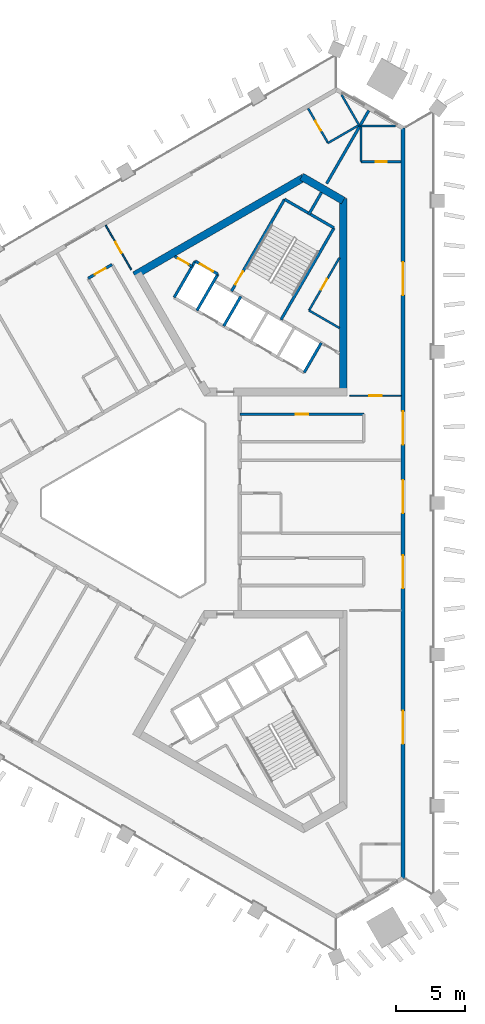
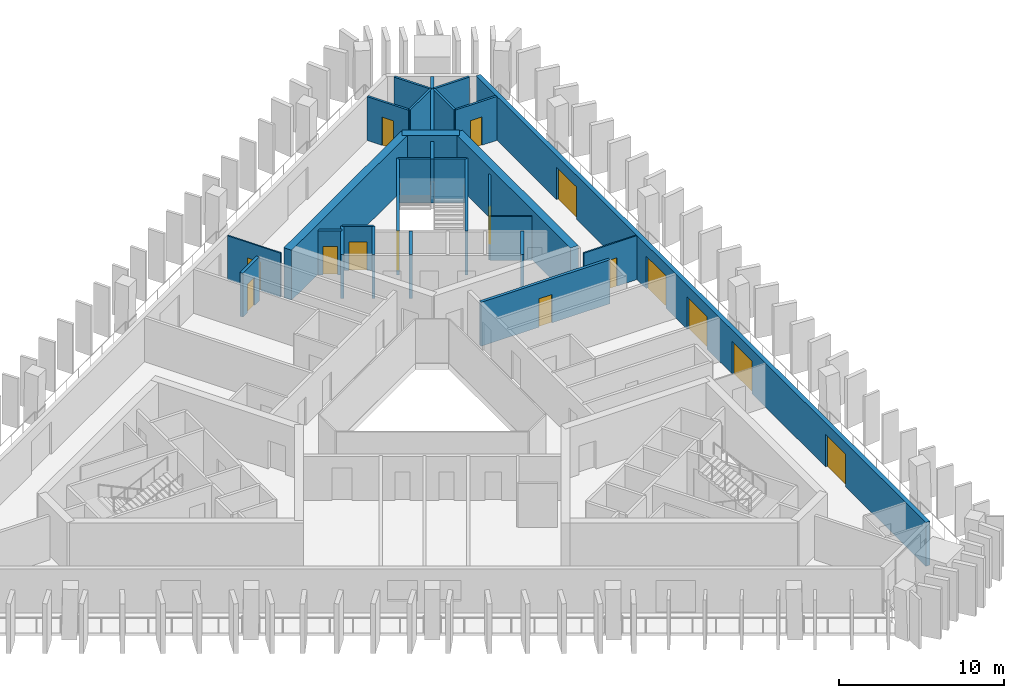
# One storey, part 5 of 10: 27 walls, 15 doors, 15 openings.
"""IFC4 building model written with IfcOpenShell, lengths in metres."""

from ifc_helpers import new_model, si_unit, direction, frame, frame_2d, origin, place, context, subcontext, project, spatial, rectangle, extrude, material, layer, layer_set, type_object, element, fill, save


model = new_model("IFC4")

# Units and contexts
model_context = context("Model", 3, precision=1e-05, world=origin(), true_north=direction((0.0, 1.0)))
body_context = subcontext(model_context, "Body", "Model", "MODEL_VIEW")
ifc_project = project(units=[si_unit("LENGTHUNIT", "METRE"), si_unit("AREAUNIT", "SQUARE_METRE"), si_unit("VOLUMEUNIT", "CUBIC_METRE"), si_unit("PLANEANGLEUNIT", "RADIAN"), si_unit("MASSUNIT", "GRAM", prefix="KILO")], contexts=[model_context])

# Site, building, storey
site_placement = place(None, origin())
site = spatial("IfcSite", under=ifc_project, at=site_placement, CompositionType="ELEMENT")
building_placement = place(site_placement, origin())
building = spatial("IfcBuilding", under=site, at=building_placement, Name="Jabali Bay Hotel Tower and Convention Centre", CompositionType="ELEMENT")
storey_placement = place(building_placement, frame((0.0, 0.0, 156.300048828125)))
storey = spatial("IfcBuildingStorey", under=building, at=storey_placement, Name="L37", CompositionType="ELEMENT", Elevation=156.300048828125)

# Wall
ifc_material_1 = material(Name="Concrete C40", Category="concrete")
ifc_layer_1 = layer(ifc_material_1, 0.199951171875)
ifc_layer_set_1 = layer_set([ifc_layer_1], Name="Concrete C40")
wall_type_1 = type_object("IfcWallType", Name="Core partition wall 200", PredefinedType="PARTITIONING", material=ifc_layer_set_1)
wall_1_placement = place(storey_placement, frame((87.090087890625, 100.9404296875, 0.0), z_axis=(0.0, 0.0, 1.0), x_axis=(0.499951854219, 0.86605319898, 0.0)))
element("IfcWall", 1, at=wall_1_placement, inside=storey, type_object=wall_type_1, Name="Core wall 1.5 L37", PredefinedType="PARTITIONING", context=body_context, shape_type="SweptSolid", body=[
    extrude(rectangle(XDim=1.873291015625, YDim=0.199951171875, at=frame_2d((0.9365234375, 0.0))), origin(), (0.0, 0.0, 1.0), 3.25),
])

# Wall, opening, door
wall_2_placement = place(storey_placement, frame((78.630126953125, 97.187744140625, 0.0), z_axis=(0.0, 0.0, 1.0), x_axis=(-0.866003949776, 0.500037157592, 0.0)))
wall_2 = element("IfcWall", 2, at=wall_2_placement, inside=storey, type_object=wall_type_1, Name="Core wall 1.12 L37", PredefinedType="PARTITIONING", context=body_context, shape_type="SweptSolid", body=[
    extrude(rectangle(XDim=1.455078125, YDim=0.199951171875, at=frame_2d((0.7275390625, 0.0))), origin(), (0.0, 0.0, 1.0), 3.25),
])
opening_1_placement = place(wall_2_placement, frame((0.277587890625, 0.0, 0.0)))
opening_1 = element("IfcOpeningElement", 3, at=opening_1_placement, cuts=wall_2, Name="Opening D814", PredefinedType="OPENING", context=body_context, shape_type="SweptSolid", body=[
    extrude(rectangle(XDim=0.89990234375, YDim=2.10009765625, at=frame_2d((0.449951171875, 1.050048828125))), frame((0.0, 0.1103515625, 0.0), z_axis=(0.0, -1.0, 0.0), x_axis=(1.0, 0.0, 0.0)), (0.0, 0.0, 1.0), 0.220947265625),
])
ifc_material_2 = material(Name="Fire-rated steel door", Category="steel")
door_type_1 = type_object("IfcDoorType", Name="Vestibule fire door 900 x 2100", OperationType="NOTDEFINED", PredefinedType="NOTDEFINED", material=ifc_material_2)
door_1_placement = place(opening_1_placement, origin())
door_1 = element("IfcDoor", 4, at=door_1_placement, inside=storey, type_object=door_type_1, Name="Vestibule fire door D814", OperationType="SINGLE_SWING_LEFT", OverallHeight=2.10009765625, OverallWidth=0.89990234375, PredefinedType="NOTDEFINED", context=body_context, shape_type="SweptSolid", body=[
    extrude(rectangle(XDim=0.89990234375, YDim=2.10009765625, at=frame_2d((0.449951171875, 1.050048828125))), frame((0.0, 0.02490234375, 0.0), z_axis=(0.0, -1.0, 0.0), x_axis=(1.0, 0.0, 0.0)), (0.0, 0.0, 1.0), 0.050048828125),
])
fill(opening_1, door_1)

ifc_material_3 = material(Name="Fire-rated board partition")
ifc_layer_2 = layer(ifc_material_3, 0.14990234375)
ifc_layer_set_2 = layer_set([ifc_layer_2], Name="Fire-rated board partition")
wall_type_2 = type_object("IfcWallType", Name="Core room partition 150", PredefinedType="PARTITIONING", material=ifc_layer_set_2)
wall_3_placement = place(storey_placement, frame((87.12109375, 93.994384765625, 0.0), z_axis=(0.0, 0.0, 1.0), x_axis=(0.500014254795, 0.866017173618, 0.0)))
wall_3 = element("IfcWall", 5, at=wall_3_placement, inside=storey, type_object=wall_type_2, Name="Core wall 1.1 L37", PredefinedType="PARTITIONING", context=body_context, shape_type="SweptSolid", body=[
    extrude(rectangle(XDim=4.417724609375, YDim=0.14990234375, at=frame_2d((2.208984375, 0.0))), origin(), (0.0, 0.0, 1.0), 3.25),
])
opening_2_placement = place(wall_3_placement, frame((1.7314453125, 0.0, 0.0)))
opening_2 = element("IfcOpeningElement", 6, at=opening_2_placement, cuts=wall_3, Name="Opening D817", PredefinedType="OPENING", context=body_context, shape_type="SweptSolid", body=[
    extrude(rectangle(XDim=0.89990234375, YDim=2.10009765625, at=frame_2d((0.449951171875, 1.050048828125))), frame((0.0, 0.08544921875, 0.0), z_axis=(0.0, -1.0, 0.0), x_axis=(1.0, 0.0, 0.0)), (0.0, 0.0, 1.0), 0.1708984375),
])
door_type_2 = type_object("IfcDoorType", Name="Core room door 900 x 2100", OperationType="NOTDEFINED", PredefinedType="NOTDEFINED", material=ifc_material_2)
door_2_placement = place(opening_2_placement, origin())
door_2 = element("IfcDoor", 7, at=door_2_placement, inside=storey, type_object=door_type_2, Name="Core room door D817", OperationType="SINGLE_SWING_LEFT", OverallHeight=2.10009765625, OverallWidth=0.89990234375, PredefinedType="NOTDEFINED", context=body_context, shape_type="SweptSolid", body=[
    extrude(rectangle(XDim=0.89990234375, YDim=2.10009765625, at=frame_2d((0.449951171875, 1.050048828125))), frame((0.0, 0.02490234375, 0.0), z_axis=(0.0, -1.0, 0.0), x_axis=(1.0, 0.0, 0.0)), (0.0, 0.0, 1.0), 0.050048828125),
])
fill(opening_2, door_2)

# Walls
wall_4_placement = place(storey_placement, frame((89.330078125, 92.718994140625, 0.0), z_axis=(0.0, 0.0, 1.0), x_axis=(-0.866019818373, 0.500009674092, 0.0)))
element("IfcWall", 8, at=wall_4_placement, inside=storey, type_object=wall_type_2, Name="Core wall 1.14 L37", PredefinedType="PARTITIONING", context=body_context, shape_type="SweptSolid", body=[
    extrude(rectangle(XDim=2.55078125, YDim=0.14990234375, at=frame_2d((1.275390625, 0.0))), origin(), (0.0, 0.0, 1.0), 3.25),
])
ifc_layer_3 = layer(ifc_material_1, 0.199951171875)
ifc_layer_set_3 = layer_set([ifc_layer_3], Name="Concrete C40")
wall_type_3 = type_object("IfcWallType", Name="Core stair wall 200", PredefinedType="SOLIDWALL", material=ifc_layer_set_3)
wall_5_placement = place(storey_placement, frame((86.769775390625, 89.48583984375, 0.0), z_axis=(0.0, 0.0, 1.0), x_axis=(0.499961042966, 0.86604789447, 0.0)))
element("IfcWall", 9, at=wall_5_placement, inside=storey, type_object=wall_type_3, Name="Core wall 1.0 L37", PredefinedType="SOLIDWALL", context=body_context, shape_type="SweptSolid", body=[
    extrude(rectangle(XDim=2.480224609375, YDim=0.199951171875, at=frame_2d((1.240234375, 0.0))), origin(), (0.0, 0.0, 1.0), 3.25),
])
wall_6_placement = place(storey_placement, frame((85.0869140625, 93.3212890625, 0.0), z_axis=(0.0, 0.0, 1.0), x_axis=(0.500019787375, 0.866013979237, 0.0)))
element("IfcWall", 10, at=wall_6_placement, inside=storey, type_object=wall_type_3, Name="Core wall 1.3 L37", PredefinedType="SOLIDWALL", context=body_context, shape_type="SweptSolid", body=[
    extrude(rectangle(XDim=7.699951171875, YDim=0.199951171875, at=frame_2d((3.85009765625, 0.0))), origin(), (0.0, 0.0, 1.0), 3.25),
])
wall_7_placement = place(storey_placement, frame((80.924072265625, 92.86083984375, 0.0), z_axis=(0.0, 0.0, 1.0), x_axis=(0.499961042966, 0.86604789447, 0.0)))
element("IfcWall", 11, at=wall_7_placement, inside=storey, type_object=wall_type_3, Name="Core wall 1.6 L37", PredefinedType="SOLIDWALL", context=body_context, shape_type="SweptSolid", body=[
    extrude(rectangle(XDim=2.480224609375, YDim=0.199951171875, at=frame_2d((1.240234375, 0.0))), origin(), (0.0, 0.0, 1.0), 3.25),
])

# Wall, opening, door
wall_8_placement = place(storey_placement, frame((81.492919921875, 95.396240234375, 0.0), z_axis=(0.0, 0.0, 1.0), x_axis=(0.500006057782, 0.866021906294, 0.0)))
wall_8 = element("IfcWall", 12, at=wall_8_placement, inside=storey, type_object=wall_type_3, Name="Core wall 1.7 L37", PredefinedType="SOLIDWALL", context=body_context, shape_type="SweptSolid", body=[
    extrude(rectangle(XDim=7.7001953125, YDim=0.199951171875, at=frame_2d((3.85009765625, 0.0))), origin(), (0.0, 0.0, 1.0), 3.25),
])
opening_3_placement = place(wall_8_placement, frame((0.550048828125, 0.0, 0.0)))
opening_3 = element("IfcOpeningElement", 13, at=opening_3_placement, cuts=wall_8, Name="Opening D816", PredefinedType="OPENING", context=body_context, shape_type="SweptSolid", body=[
    extrude(rectangle(XDim=1.10009765625, YDim=2.10009765625, at=frame_2d((0.550048828125, 1.050048828125))), frame((0.0, 0.1103515625, 0.0), z_axis=(0.0, -1.0, 0.0), x_axis=(1.0, 0.0, 0.0)), (0.0, 0.0, 1.0), 0.220947265625),
])
door_type_3 = type_object("IfcDoorType", Name="Stair fire door 1100 x 2100", OperationType="NOTDEFINED", PredefinedType="NOTDEFINED", material=ifc_material_2)
door_3_placement = place(opening_3_placement, origin())
door_3 = element("IfcDoor", 14, at=door_3_placement, inside=storey, type_object=door_type_3, Name="Stair fire door D816", OperationType="SINGLE_SWING_RIGHT", OverallHeight=2.10009765625, OverallWidth=1.10009765625, PredefinedType="NOTDEFINED", context=body_context, shape_type="SweptSolid", body=[
    extrude(rectangle(XDim=1.10009765625, YDim=2.10009765625, at=frame_2d((0.550048828125, 1.050048828125))), frame((0.0, 0.02490234375, 0.0), z_axis=(0.0, -1.0, 0.0), x_axis=(1.0, 0.0, 0.0)), (0.0, 0.0, 1.0), 0.050048828125),
])
fill(opening_3, door_3)

# Walls
for number, where, z_axis, x_axis, name in (
    (15, (78.9755859375, 93.98583984375, 0.0), (0.0, 0.0, 1.0), (0.499944174705, 0.866057632134, 0.0), "Core wall 1.8 L37"),
    (16, (77.330078125, 94.93603515625, 0.0), (0.0, 0.0, 1.0), (0.500038867431, 0.8660029625, 0.0), "Core wall 1.9 L37"),
):
    element("IfcWall", number, at=place(storey_placement, frame(where, z_axis=z_axis, x_axis=x_axis)), inside=storey, type_object=wall_type_3, Name=name, PredefinedType="SOLIDWALL", context=body_context, shape_type="SweptSolid", body=[
        extrude(rectangle(XDim=3.050048828125, YDim=0.199951171875, at=frame_2d((1.52490234375, 0.0))), origin(), (0.0, 0.0, 1.0), 3.25),
    ])

# Wall, opening, door
wall_9_placement = place(storey_placement, frame((80.50048828125, 96.62744140625, 0.0), z_axis=(0.0, 0.0, 1.0), x_axis=(-0.86601224135, 0.500022797313, 0.0)))
wall_9 = element("IfcWall", 17, at=wall_9_placement, inside=storey, type_object=wall_type_3, Name="Core wall 1.13 L37", PredefinedType="SOLIDWALL", context=body_context, shape_type="SweptSolid", body=[
    extrude(rectangle(XDim=1.89990234375, YDim=0.199951171875, at=frame_2d((0.949951171875, 0.0))), origin(), (0.0, 0.0, 1.0), 3.25),
])
opening_4_placement = place(wall_9_placement, frame((0.39990234375, 0.0, 0.0)))
opening_4 = element("IfcOpeningElement", 18, at=opening_4_placement, cuts=wall_9, Name="Opening LD10-L37", PredefinedType="OPENING", context=body_context, shape_type="SweptSolid", body=[
    extrude(rectangle(XDim=1.10009765625, YDim=2.10009765625, at=frame_2d((0.550048828125, 1.050048828125))), frame((0.0, 0.1103515625, 0.0), z_axis=(0.0, -1.0, 0.0), x_axis=(1.0, 0.0, 0.0)), (0.0, 0.0, 1.0), 0.220947265625),
])
ifc_material_4 = material(Name="Stainless steel landing door", Category="steel")
door_type_4 = type_object("IfcDoorType", Name="Landing door 1100 x 2100", OperationType="NOTDEFINED", PredefinedType="NOTDEFINED", material=ifc_material_4)
door_4_placement = place(opening_4_placement, origin())
door_4 = element("IfcDoor", 19, at=door_4_placement, inside=storey, type_object=door_type_4, Name="Landing doors LD10-L37", OperationType="SLIDING_TO_RIGHT", OverallHeight=2.10009765625, OverallWidth=1.10009765625, PredefinedType="NOTDEFINED", context=body_context, shape_type="SweptSolid", body=[
    extrude(rectangle(XDim=1.10009765625, YDim=2.10009765625, at=frame_2d((0.550048828125, 1.050048828125))), frame((0.0, 0.02490234375, 0.0), z_axis=(0.0, -1.0, 0.0), x_axis=(1.0, 0.0, 0.0)), (0.0, 0.0, 1.0), 0.050048828125),
])
fill(opening_4, door_4)

# Walls
wall_10_placement = place(storey_placement, frame((88.93701171875, 99.989501953125, 0.0), z_axis=(0.0, 0.0, 1.0), x_axis=(-0.866004344652, 0.500036473714, 0.0)))
element("IfcWall", 20, at=wall_10_placement, inside=storey, type_object=wall_type_3, Name="Core wall 1.15 L37", PredefinedType="SOLIDWALL", context=body_context, shape_type="SweptSolid", body=[
    extrude(rectangle(XDim=4.150146484375, YDim=0.199951171875, at=frame_2d((2.0751953125, 0.0))), origin(), (0.0, 0.0, 1.0), 3.25),
])
ifc_material_5 = material(Name="Concrete C60", Category="concrete")
ifc_layer_4 = layer(ifc_material_5, 0.550048828125)
ifc_layer_set_4 = layer_set([ifc_layer_4], Name="Concrete C60")
wall_type_4 = type_object("IfcWallType", Name="Core wall 550", PredefinedType="SHEAR", material=ifc_layer_set_4)
wall_11_placement = place(storey_placement, frame((89.60498046875, 88.0693359375, 0.0), z_axis=(0.0, 0.0, 1.0), x_axis=(0.0, 1.0, 0.0)))
element("IfcWall", 21, at=wall_11_placement, inside=storey, type_object=wall_type_4, Name="Core wall 2.2 L37", PredefinedType="SHEAR", context=body_context, shape_type="SweptSolid", body=[
    extrude(rectangle(XDim=14.058349609375, YDim=0.550048828125, at=frame_2d((7.029296875, 0.0))), origin(), (0.0, 0.0, 1.0), 3.699951171875),
])
wall_12_placement = place(storey_placement, frame((89.60498046875, 101.96875, 0.0), z_axis=(0.0, 0.0, 1.0), x_axis=(-0.865997833373, 0.500047750313, 0.0)))
element("IfcWall", 22, at=wall_12_placement, inside=storey, type_object=wall_type_4, Name="Core wall 2.3 L37", PredefinedType="SHEAR", context=body_context, shape_type="SweptSolid", body=[
    extrude(rectangle(XDim=3.486572265625, YDim=0.550048828125, at=frame_2d((1.7431640625, 0.0))), origin(), (0.0, 0.0, 1.0), 3.699951171875),
])
wall_13_placement = place(storey_placement, frame((86.72314453125, 103.6328125, 0.0), z_axis=(0.0, 0.0, 1.0), x_axis=(-0.866023530946, -0.500003243837, 0.0)))
element("IfcWall", 23, at=wall_13_placement, inside=storey, type_object=wall_type_4, Name="Core wall 2.4 L37", PredefinedType="SHEAR", context=body_context, shape_type="SweptSolid", body=[
    extrude(rectangle(XDim=14.1748046875, YDim=0.550048828125, at=frame_2d((7.08740234375, 0.0))), origin(), (0.0, 0.0, 1.0), 3.699951171875),
])

# Wall, openings, doors
ifc_layer_5 = layer(ifc_material_1, 0.300048828125)
ifc_layer_set_5 = layer_set([ifc_layer_5], Name="Concrete C40")
wall_type_5 = type_object("IfcWallType", Name="External wall 300", PredefinedType="SOLIDWALL", material=ifc_layer_set_5)
wall_14_placement = place(storey_placement, frame((93.9501953125, 107.2470703125, 0.0), z_axis=(0.0, 0.0, 1.0), x_axis=(0.0, -1.0, 0.0)))
wall_14 = element("IfcWall", 24, at=wall_14_placement, inside=storey, type_object=wall_type_5, Name="External wall east face L37", PredefinedType="SOLIDWALL", context=body_context, shape_type="SweptSolid", body=[
    extrude(rectangle(XDim=54.494140625, YDim=0.300048828125, at=frame_2d((27.2470703125, 0.0))), origin(), (0.0, 0.0, 1.0), 3.25),
])
opening_5_placement = place(wall_14_placement, frame((25.579345703125, 0.0, 0.0)))
opening_5 = element("IfcOpeningElement", 25, at=opening_5_placement, cuts=wall_14, Name="Opening SD1", PredefinedType="OPENING", context=body_context, shape_type="SweptSolid", body=[
    extrude(rectangle(XDim=2.39990234375, YDim=2.39990234375, at=frame_2d((1.199951171875, 1.199951171875))), frame((0.0, 0.16064453125, 0.0), z_axis=(0.0, -1.0, 0.0), x_axis=(1.0, 0.0, 0.0)), (0.0, 0.0, 1.0), 0.321044921875),
])
opening_6_placement = place(wall_14_placement, frame((31.035400390625, 0.0, 0.0)))
opening_6 = element("IfcOpeningElement", 26, at=opening_6_placement, cuts=wall_14, Name="Opening SD1", PredefinedType="OPENING", context=body_context, shape_type="SweptSolid", body=[
    extrude(rectangle(XDim=2.39990234375, YDim=2.39990234375, at=frame_2d((1.199951171875, 1.199951171875))), frame((0.0, 0.16064453125, 0.0), z_axis=(0.0, -1.0, 0.0), x_axis=(1.0, 0.0, 0.0)), (0.0, 0.0, 1.0), 0.321044921875),
])
opening_7_placement = place(wall_14_placement, frame((42.338623046875, 0.0, 0.0)))
opening_7 = element("IfcOpeningElement", 27, at=opening_7_placement, cuts=wall_14, Name="Opening SD1", PredefinedType="OPENING", context=body_context, shape_type="SweptSolid", body=[
    extrude(rectangle(XDim=2.39990234375, YDim=2.39990234375, at=frame_2d((1.199951171875, 1.199951171875))), frame((0.0, 0.16064453125, 0.0), z_axis=(0.0, -1.0, 0.0), x_axis=(1.0, 0.0, 0.0)), (0.0, 0.0, 1.0), 0.321044921875),
])
opening_8_placement = place(wall_14_placement, frame((20.591064453125, 0.0, 0.0)))
opening_8 = element("IfcOpeningElement", 28, at=opening_8_placement, cuts=wall_14, Name="Opening SD1", PredefinedType="OPENING", context=body_context, shape_type="SweptSolid", body=[
    extrude(rectangle(XDim=2.39990234375, YDim=2.39990234375, at=frame_2d((1.199951171875, 1.199951171875))), frame((0.0, 0.16064453125, 0.0), z_axis=(0.0, -1.0, 0.0), x_axis=(1.0, 0.0, 0.0)), (0.0, 0.0, 1.0), 0.321044921875),
])
opening_9_placement = place(wall_14_placement, frame((9.743896484375, 0.0, 0.0)))
opening_9 = element("IfcOpeningElement", 29, at=opening_9_placement, cuts=wall_14, Name="Opening SD1", PredefinedType="OPENING", context=body_context, shape_type="SweptSolid", body=[
    extrude(rectangle(XDim=2.39990234375, YDim=2.39990234375, at=frame_2d((1.199951171875, 1.199951171875))), frame((0.0, 0.16064453125, 0.0), z_axis=(0.0, -1.0, 0.0), x_axis=(1.0, 0.0, 0.0)), (0.0, 0.0, 1.0), 0.321044921875),
])
ifc_material_6 = material(Name="Glass", Category="glass")
door_type_5 = type_object("IfcDoorType", Name="Loggia sliding door 2400 x 2400", OperationType="NOTDEFINED", PredefinedType="NOTDEFINED", material=ifc_material_6)
door_5_placement = place(opening_5_placement, origin())
door_5 = element("IfcDoor", 30, at=door_5_placement, inside=storey, type_object=door_type_5, Name="Loggia sliding door 3703", OperationType="SLIDING_TO_LEFT", OverallHeight=2.39990234375, OverallWidth=2.39990234375, PredefinedType="NOTDEFINED", context=body_context, shape_type="SweptSolid", body=[
    extrude(rectangle(XDim=2.39990234375, YDim=2.39990234375, at=frame_2d((1.199951171875, 1.199951171875))), frame((0.0, 0.02490234375, 0.0), z_axis=(0.0, -1.0, 0.0), x_axis=(1.0, 0.0, 0.0)), (0.0, 0.0, 1.0), 0.050048828125),
])
fill(opening_5, door_5)
door_6_placement = place(opening_6_placement, origin())
door_6 = element("IfcDoor", 31, at=door_6_placement, inside=storey, type_object=door_type_5, Name="Loggia sliding door 3701", OperationType="SLIDING_TO_RIGHT", OverallHeight=2.39990234375, OverallWidth=2.39990234375, PredefinedType="NOTDEFINED", context=body_context, shape_type="SweptSolid", body=[
    extrude(rectangle(XDim=2.39990234375, YDim=2.39990234375, at=frame_2d((1.199951171875, 1.199951171875))), frame((0.0, 0.02490234375, 0.0), z_axis=(0.0, -1.0, 0.0), x_axis=(1.0, 0.0, 0.0)), (0.0, 0.0, 1.0), 0.050048828125),
])
fill(opening_6, door_6)
door_7_placement = place(opening_7_placement, origin())
door_7 = element("IfcDoor", 32, at=door_7_placement, inside=storey, type_object=door_type_5, Name="Loggia sliding door 3701", OperationType="SLIDING_TO_LEFT", OverallHeight=2.39990234375, OverallWidth=2.39990234375, PredefinedType="NOTDEFINED", context=body_context, shape_type="SweptSolid", body=[
    extrude(rectangle(XDim=2.39990234375, YDim=2.39990234375, at=frame_2d((1.199951171875, 1.199951171875))), frame((0.0, 0.02490234375, 0.0), z_axis=(0.0, -1.0, 0.0), x_axis=(1.0, 0.0, 0.0)), (0.0, 0.0, 1.0), 0.050048828125),
])
fill(opening_7, door_7)
door_8_placement = place(opening_8_placement, origin())
door_8 = element("IfcDoor", 33, at=door_8_placement, inside=storey, type_object=door_type_5, Name="Loggia sliding door 3704", OperationType="SLIDING_TO_RIGHT", OverallHeight=2.39990234375, OverallWidth=2.39990234375, PredefinedType="NOTDEFINED", context=body_context, shape_type="SweptSolid", body=[
    extrude(rectangle(XDim=2.39990234375, YDim=2.39990234375, at=frame_2d((1.199951171875, 1.199951171875))), frame((0.0, 0.02490234375, 0.0), z_axis=(0.0, -1.0, 0.0), x_axis=(1.0, 0.0, 0.0)), (0.0, 0.0, 1.0), 0.050048828125),
])
fill(opening_8, door_8)
door_9_placement = place(opening_9_placement, origin())
door_9 = element("IfcDoor", 34, at=door_9_placement, inside=storey, type_object=door_type_5, Name="Loggia sliding door 3704", OperationType="SLIDING_TO_LEFT", OverallHeight=2.39990234375, OverallWidth=2.39990234375, PredefinedType="NOTDEFINED", context=body_context, shape_type="SweptSolid", body=[
    extrude(rectangle(XDim=2.39990234375, YDim=2.39990234375, at=frame_2d((1.199951171875, 1.199951171875))), frame((0.0, 0.02490234375, 0.0), z_axis=(0.0, -1.0, 0.0), x_axis=(1.0, 0.0, 0.0)), (0.0, 0.0, 1.0), 0.050048828125),
])
fill(opening_9, door_9)

# Wall, opening, door
ifc_material_7 = material(Name="Plasterboard on steel stud", Category="steel")
ifc_layer_6 = layer(ifc_material_7, 0.10009765625)
ifc_layer_set_6 = layer_set([ifc_layer_6], Name="Plasterboard on steel stud")
wall_type_6 = type_object("IfcWallType", Name="Partition 100 unit", PredefinedType="PARTITIONING", material=ifc_layer_set_6)
wall_15_placement = place(storey_placement, frame((93.801025390625, 87.794189453125, 0.0), z_axis=(0.0, 0.0, 1.0), x_axis=(-1.0, 0.0, 0.0)))
wall_15 = element("IfcWall", 35, at=wall_15_placement, inside=storey, type_object=wall_type_6, Name="Partition P02 L37 014", PredefinedType="PARTITIONING", context=body_context, shape_type="SweptSolid", body=[
    extrude(rectangle(XDim=3.721923828125, YDim=0.10009765625, at=frame_2d((1.86083984375, 0.0))), origin(), (0.0, 0.0, 1.0), 3.25),
])
opening_10_placement = place(wall_15_placement, frame((1.410888671875, 0.0, 0.0)))
opening_10 = element("IfcOpeningElement", 36, at=opening_10_placement, cuts=wall_15, Name="Opening 3708", PredefinedType="OPENING", context=body_context, shape_type="SweptSolid", body=[
    extrude(rectangle(XDim=0.89990234375, YDim=2.10009765625, at=frame_2d((0.449951171875, 1.050048828125))), frame((0.0, 0.060546875, 0.0), z_axis=(0.0, -1.0, 0.0), x_axis=(1.0, 0.0, 0.0)), (0.0, 0.0, 1.0), 0.12109375),
])
ifc_material_8 = material(Name="Timber", Category="wood")
door_type_6 = type_object("IfcDoorType", Name="Internal door 900 x 2100", OperationType="NOTDEFINED", PredefinedType="NOTDEFINED", material=ifc_material_8)
door_10_placement = place(opening_10_placement, origin())
door_10 = element("IfcDoor", 37, at=door_10_placement, inside=storey, type_object=door_type_6, Name="Door 3708", OperationType="SINGLE_SWING_LEFT", OverallHeight=2.10009765625, OverallWidth=0.89990234375, PredefinedType="NOTDEFINED", context=body_context, shape_type="SweptSolid", body=[
    extrude(rectangle(XDim=0.89990234375, YDim=2.10009765625, at=frame_2d((0.449951171875, 1.050048828125))), frame((0.0, 0.02490234375, 0.0), z_axis=(0.0, -1.0, 0.0), x_axis=(1.0, 0.0, 0.0)), (0.0, 0.0, 1.0), 0.050048828125),
])
fill(opening_10, door_10)

wall_16_placement = place(storey_placement, frame((74.21044921875, 96.955810546875, 0.0), z_axis=(0.0, 0.0, 1.0), x_axis=(-0.499983621345, 0.866034859799, 0.0)))
wall_16 = element("IfcWall", 38, at=wall_16_placement, inside=storey, type_object=wall_type_6, Name="Partition P02 L37 022", PredefinedType="PARTITIONING", context=body_context, shape_type="SweptSolid", body=[
    extrude(rectangle(XDim=3.72216796875, YDim=0.10009765625, at=frame_2d((1.861083984375, 0.0))), origin(), (0.0, 0.0, 1.0), 3.25),
])
opening_11_placement = place(wall_16_placement, frame((1.410888671875, 0.0, 0.0)))
opening_11 = element("IfcOpeningElement", 39, at=opening_11_placement, cuts=wall_16, Name="Opening 3712", PredefinedType="OPENING", context=body_context, shape_type="SweptSolid", body=[
    extrude(rectangle(XDim=0.89990234375, YDim=2.10009765625, at=frame_2d((0.449951171875, 1.050048828125))), frame((0.0, 0.060546875, 0.0), z_axis=(0.0, -1.0, 0.0), x_axis=(1.0, 0.0, 0.0)), (0.0, 0.0, 1.0), 0.12109375),
])
door_11_placement = place(opening_11_placement, origin())
door_11 = element("IfcDoor", 40, at=door_11_placement, inside=storey, type_object=door_type_6, Name="Door 3712", OperationType="SINGLE_SWING_LEFT", OverallHeight=2.10009765625, OverallWidth=0.89990234375, PredefinedType="NOTDEFINED", context=body_context, shape_type="SweptSolid", body=[
    extrude(rectangle(XDim=0.89990234375, YDim=2.10009765625, at=frame_2d((0.449951171875, 1.050048828125))), frame((0.0, 0.02490234375, 0.0), z_axis=(0.0, -1.0, 0.0), x_axis=(1.0, 0.0, 0.0)), (0.0, 0.0, 1.0), 0.050048828125),
])
fill(opening_11, door_11)

ifc_layer_7 = layer(ifc_material_7, 0.14990234375)
ifc_layer_set_7 = layer_set([ifc_layer_7], Name="Plasterboard on steel stud")
wall_type_7 = type_object("IfcWallType", Name="Partition 150 wet", PredefinedType="PARTITIONING", material=ifc_layer_set_7)
wall_17_placement = place(storey_placement, frame((93.801025390625, 104.794189453125, 0.0), z_axis=(0.0, 0.0, 1.0), x_axis=(-1.0, 0.0, 0.0)))
wall_17 = element("IfcWall", 41, at=wall_17_placement, inside=storey, type_object=wall_type_7, Name="Partition P03 L37 018", PredefinedType="PARTITIONING", context=body_context, shape_type="SweptSolid", body=[
    extrude(rectangle(XDim=2.8994140625, YDim=0.14990234375, at=frame_2d((1.44970703125, 0.0))), origin(), (0.0, 0.0, 1.0), 3.25),
])
opening_12_placement = place(wall_17_placement, frame((1.050048828125, 0.0, 0.0)))
opening_12 = element("IfcOpeningElement", 42, at=opening_12_placement, cuts=wall_17, Name="Opening 3709", PredefinedType="OPENING", context=body_context, shape_type="SweptSolid", body=[
    extrude(rectangle(XDim=0.800048828125, YDim=2.10009765625, at=frame_2d((0.39990234375, 1.050048828125))), frame((0.0, 0.08544921875, 0.0), z_axis=(0.0, -1.0, 0.0), x_axis=(1.0, 0.0, 0.0)), (0.0, 0.0, 1.0), 0.1708984375),
])
door_type_7 = type_object("IfcDoorType", Name="En-suite door 800 x 2100", OperationType="NOTDEFINED", PredefinedType="NOTDEFINED", material=ifc_material_8)
door_12_placement = place(opening_12_placement, origin())
door_12 = element("IfcDoor", 43, at=door_12_placement, inside=storey, type_object=door_type_7, Name="Door 3709", OperationType="SINGLE_SWING_LEFT", OverallHeight=2.10009765625, OverallWidth=0.800048828125, PredefinedType="NOTDEFINED", context=body_context, shape_type="SweptSolid", body=[
    extrude(rectangle(XDim=0.800048828125, YDim=2.10009765625, at=frame_2d((0.39990234375, 1.050048828125))), frame((0.0, 0.02490234375, 0.0), z_axis=(0.0, -1.0, 0.0), x_axis=(1.0, 0.0, 0.0)), (0.0, 0.0, 1.0), 0.050048828125),
])
fill(opening_12, door_12)

# Walls
wall_18_placement = place(storey_placement, frame((90.901611328125, 104.794189453125, 0.0), z_axis=(0.0, 0.0, 1.0), x_axis=(0.0, 1.0, 0.0)))
element("IfcWall", 44, at=wall_18_placement, inside=storey, type_object=wall_type_7, Name="Partition P03 L37 019", PredefinedType="PARTITIONING", context=body_context, shape_type="SweptSolid", body=[
    extrude(rectangle(XDim=2.60009765625, YDim=0.14990234375, at=frame_2d((1.300048828125, 0.0))), origin(), (0.0, 0.0, 1.0), 3.25),
])
wall_19_placement = place(storey_placement, frame((90.901611328125, 107.394287109375, 0.0), z_axis=(0.0, 0.0, 1.0), x_axis=(1.0, 0.0, 0.0)))
element("IfcWall", 45, at=wall_19_placement, inside=storey, type_object=wall_type_7, Name="Partition P03 L37 020", PredefinedType="PARTITIONING", context=body_context, shape_type="SweptSolid", body=[
    extrude(rectangle(XDim=2.49560546875, YDim=0.14990234375, at=frame_2d((1.247802734375, 0.0))), origin(), (0.0, 0.0, 1.0), 3.25),
])
wall_20_placement = place(storey_placement, frame((89.485107421875, 109.653076171875, 0.0), z_axis=(0.0, 0.0, 1.0), x_axis=(0.499969651234, -0.866042924943, 0.0)))
element("IfcWall", 46, at=wall_20_placement, inside=storey, type_object=wall_type_7, Name="Partition P03 L37 027", PredefinedType="PARTITIONING", context=body_context, shape_type="SweptSolid", body=[
    extrude(rectangle(XDim=2.536376953125, YDim=0.14990234375, at=frame_2d((1.26806640625, 0.0))), origin(), (0.0, 0.0, 1.0), 3.25),
])
wall_21_placement = place(storey_placement, frame((90.753173828125, 107.45654296875, 0.0), z_axis=(0.0, 0.0, 1.0), x_axis=(-0.866021400173, -0.500006934395, 0.0)))
element("IfcWall", 47, at=wall_21_placement, inside=storey, type_object=wall_type_7, Name="Partition P03 L37 028", PredefinedType="PARTITIONING", context=body_context, shape_type="SweptSolid", body=[
    extrude(rectangle(XDim=2.60009765625, YDim=0.14990234375, at=frame_2d((1.300048828125, 0.0))), origin(), (0.0, 0.0, 1.0), 3.25),
])

# Wall, opening, door
wall_22_placement = place(storey_placement, frame((88.50146484375, 106.156494140625, 0.0), z_axis=(0.0, 0.0, 1.0), x_axis=(-0.500023687443, 0.866011727401, 0.0)))
wall_22 = element("IfcWall", 48, at=wall_22_placement, inside=storey, type_object=wall_type_7, Name="Partition P03 L37 029", PredefinedType="PARTITIONING", context=body_context, shape_type="SweptSolid", body=[
    extrude(rectangle(XDim=2.899658203125, YDim=0.14990234375, at=frame_2d((1.44970703125, 0.0))), origin(), (0.0, 0.0, 1.0), 3.25),
])
opening_13_placement = place(wall_22_placement, frame((1.050048828125, 0.0, 0.0)))
opening_13 = element("IfcOpeningElement", 49, at=opening_13_placement, cuts=wall_22, Name="Opening 3713", PredefinedType="OPENING", context=body_context, shape_type="SweptSolid", body=[
    extrude(rectangle(XDim=0.800048828125, YDim=2.10009765625, at=frame_2d((0.39990234375, 1.050048828125))), frame((0.0, 0.08544921875, 0.0), z_axis=(0.0, -1.0, 0.0), x_axis=(1.0, 0.0, 0.0)), (0.0, 0.0, 1.0), 0.1708984375),
])
door_13_placement = place(opening_13_placement, origin())
door_13 = element("IfcDoor", 50, at=door_13_placement, inside=storey, type_object=door_type_7, Name="Door 3713", OperationType="SINGLE_SWING_LEFT", OverallHeight=2.10009765625, OverallWidth=0.800048828125, PredefinedType="NOTDEFINED", context=body_context, shape_type="SweptSolid", body=[
    extrude(rectangle(XDim=0.800048828125, YDim=2.10009765625, at=frame_2d((0.39990234375, 1.050048828125))), frame((0.0, 0.02490234375, 0.0), z_axis=(0.0, -1.0, 0.0), x_axis=(1.0, 0.0, 0.0)), (0.0, 0.0, 1.0), 0.050048828125),
])
fill(opening_13, door_13)

ifc_layer_8 = layer(ifc_material_7, 0.199951171875)
ifc_layer_set_8 = layer_set([ifc_layer_8], Name="Plasterboard on steel stud")
wall_type_8 = type_object("IfcWallType", Name="Partition 200 party", PredefinedType="PARTITIONING", material=ifc_layer_set_8)
wall_23_placement = place(storey_placement, frame((82.10009765625, 86.4560546875, 0.0), z_axis=(0.0, 0.0, 1.0), x_axis=(1.0, 0.0, 0.0)))
wall_23 = element("IfcWall", 51, at=wall_23_placement, inside=storey, type_object=wall_type_8, Name="Partition P01 L37 015", PredefinedType="PARTITIONING", context=body_context, shape_type="SweptSolid", body=[
    extrude(rectangle(XDim=9.0, YDim=0.199951171875, at=frame_2d((4.5, 0.0))), origin(), (0.0, 0.0, 1.0), 3.25),
])
opening_14_placement = place(wall_23_placement, frame((4.050048828125, 0.0, 0.0)))
opening_14 = element("IfcOpeningElement", 52, at=opening_14_placement, cuts=wall_23, Name="Opening 3710", PredefinedType="OPENING", context=body_context, shape_type="SweptSolid", body=[
    extrude(rectangle(XDim=0.89990234375, YDim=2.10009765625, at=frame_2d((0.449951171875, 1.050048828125))), frame((0.0, 0.1103515625, 0.0), z_axis=(0.0, -1.0, 0.0), x_axis=(1.0, 0.0, 0.0)), (0.0, 0.0, 1.0), 0.220947265625),
])
door_14_placement = place(opening_14_placement, origin())
door_14 = element("IfcDoor", 53, at=door_14_placement, inside=storey, type_object=door_type_6, Name="Door 3710", OperationType="SINGLE_SWING_RIGHT", OverallHeight=2.10009765625, OverallWidth=0.89990234375, PredefinedType="NOTDEFINED", context=body_context, shape_type="SweptSolid", body=[
    extrude(rectangle(XDim=0.89990234375, YDim=2.10009765625, at=frame_2d((0.449951171875, 1.050048828125))), frame((0.0, 0.02490234375, 0.0), z_axis=(0.0, -1.0, 0.0), x_axis=(1.0, 0.0, 0.0)), (0.0, 0.0, 1.0), 0.050048828125),
])
fill(opening_14, door_14)

# Wall
wall_24_placement = place(storey_placement, frame((91.46142578125, 108.511962890625, 0.0), z_axis=(0.0, 0.0, 1.0), x_axis=(-0.499987164874, -0.866032814021, 0.0)))
element("IfcWall", 54, at=wall_24_placement, inside=storey, type_object=wall_type_8, Name="Partition P01 L37 021", PredefinedType="PARTITIONING", context=body_context, shape_type="SweptSolid", body=[
    extrude(rectangle(XDim=6.120849609375, YDim=0.199951171875, at=frame_2d((3.060546875, 0.0))), origin(), (0.0, 0.0, 1.0), 3.25),
])

# Wall, opening, door
wall_25_placement = place(storey_placement, frame((71.078857421875, 96.326904296875, 0.0), z_axis=(0.0, 0.0, 1.0), x_axis=(0.866041268327, 0.499972520799, 0.0)))
wall_25 = element("IfcWall", 55, at=wall_25_placement, inside=storey, type_object=wall_type_8, Name="Partition P01 L37 024", PredefinedType="PARTITIONING", context=body_context, shape_type="SweptSolid", body=[
    extrude(rectangle(XDim=2.0, YDim=0.199951171875, at=frame_2d((1.0, 0.0))), origin(), (0.0, 0.0, 1.0), 3.25),
])
opening_15_placement = place(wall_25_placement, frame((0.550048828125, 0.0, 0.0)))
opening_15 = element("IfcOpeningElement", 56, at=opening_15_placement, cuts=wall_25, Name="Opening 3714", PredefinedType="OPENING", context=body_context, shape_type="SweptSolid", body=[
    extrude(rectangle(XDim=0.89990234375, YDim=2.10009765625, at=frame_2d((0.449951171875, 1.050048828125))), frame((0.0, 0.1103515625, 0.0), z_axis=(0.0, -1.0, 0.0), x_axis=(1.0, 0.0, 0.0)), (0.0, 0.0, 1.0), 0.220947265625),
])
door_15_placement = place(opening_15_placement, origin())
door_15 = element("IfcDoor", 57, at=door_15_placement, inside=storey, type_object=door_type_6, Name="Door 3714", OperationType="SINGLE_SWING_LEFT", OverallHeight=2.10009765625, OverallWidth=0.89990234375, PredefinedType="NOTDEFINED", context=body_context, shape_type="SweptSolid", body=[
    extrude(rectangle(XDim=0.89990234375, YDim=2.10009765625, at=frame_2d((0.449951171875, 1.050048828125))), frame((0.0, 0.02490234375, 0.0), z_axis=(0.0, -1.0, 0.0), x_axis=(1.0, 0.0, 0.0)), (0.0, 0.0, 1.0), 0.050048828125),
])
fill(opening_15, door_15)

save(model, "model.ifc")
